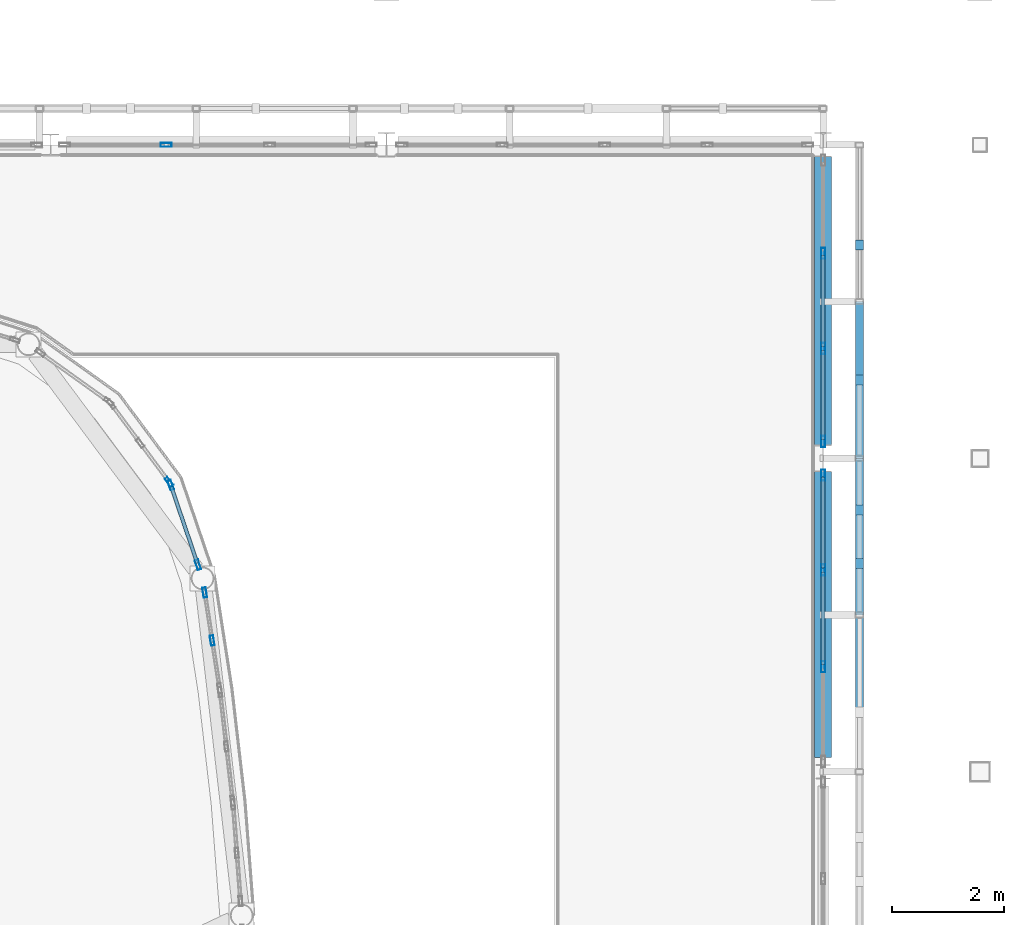
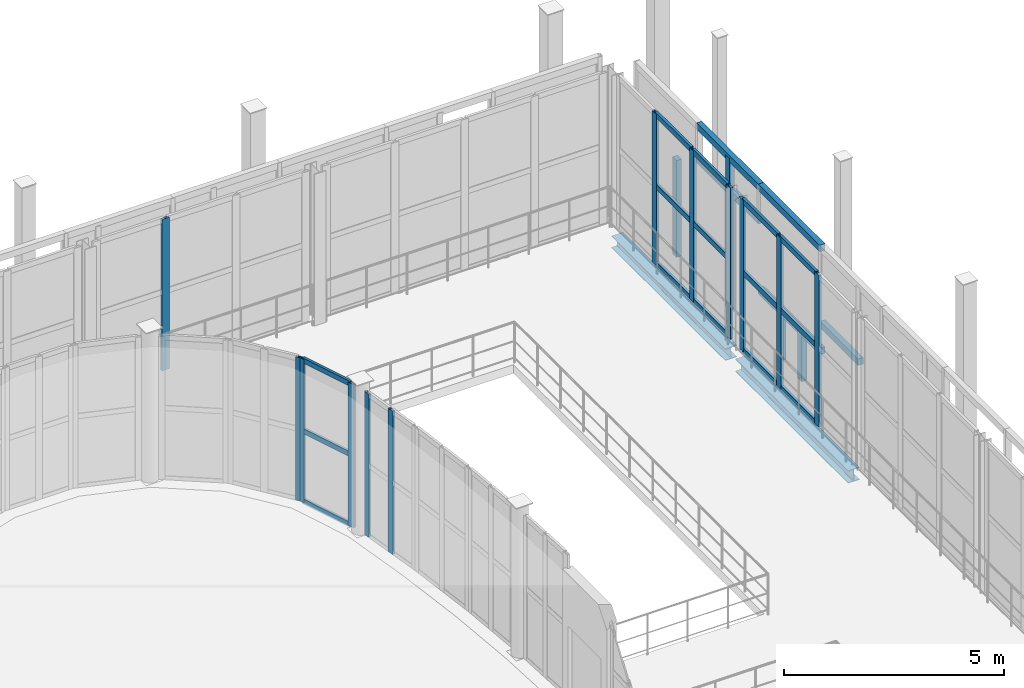
# One storey, part 51 of 121: 36 members, 2 beams, 6 elements without a shape of their own.
"""IFC4 building model written with IfcOpenShell, lengths in metres."""

import ifcopenshell
import ifcopenshell.guid

model = None  # the IFC model being written
_history = None  # IfcOwnerHistory: only IFC2X3 demands one
_inside = {}  # id of a spatial element -> (the spatial element, [elements in it])
_under = {}  # id of a project, library or spatial element -> (it, [spatial elements below it])
_declared = {}  # id of a project -> (the project, [libraries it declares])
_typed = {}  # id of a type object -> (the type object, [elements of that type])
_made_of = {}  # id of a material, layer set ... -> (it, [elements and type objects made of it])


def new_model(schema):
    """Start an empty IFC model of exactly this schema.

    Asked for "IFC4X3", IfcOpenShell would pick the latest addendum, in which some entities
    have other attributes; the version numbers below select the first issue.
    IFC2X3 requires an IfcOwnerHistory on every rooted entity: one is made here for all.
    """
    global model, _history
    if schema == "IFC4X3":
        model = ifcopenshell.file(schema_version=(4, 3, 0, 0))
    else:
        model = ifcopenshell.file(schema=schema)
    _inside.clear()
    _under.clear()
    _declared.clear()
    _typed.clear()
    _made_of.clear()
    _history = None
    if model.schema == "IFC2X3":
        org = make("IfcOrganization", Name="unknown")
        user = make(
            "IfcPersonAndOrganization",
            ThePerson=make("IfcPerson", FamilyName="unknown"),
            TheOrganization=org,
        )
        app = make(
            "IfcApplication",
            ApplicationDeveloper=org,
            Version="unknown",
            ApplicationFullName="unknown",
            ApplicationIdentifier="unknown",
        )
        _history = make(
            "IfcOwnerHistory",
            OwningUser=user,
            OwningApplication=app,
            ChangeAction="ADDED",
            CreationDate=0,
        )
    return model


def make(cls, **values):
    """One entity of the class cls with the attributes given. An attribute that is None is left unset."""
    return model.create_entity(
        cls, **{name: value for name, value in values.items() if value is not None}
    )


def rooted(cls, **values):
    """An entity with a GlobalId (a new one), such as an element, a storey or a relation."""
    return make(cls, GlobalId=ifcopenshell.guid.new(), OwnerHistory=_history, **values)


def si_unit(unit_type, name, prefix=None):
    """IfcSIUnit, for example si_unit("LENGTHUNIT", "METRE", prefix="MILLI")."""
    return make("IfcSIUnit", UnitType=unit_type, Prefix=prefix, Name=name)


def assignment(units):
    """IfcUnitAssignment: the units of a project."""
    return None if units is None else make("IfcUnitAssignment", Units=units)


def point(xyz):
    """IfcCartesianPoint."""
    return None if xyz is None else make("IfcCartesianPoint", Coordinates=xyz)


def direction(xyz):
    """IfcDirection."""
    return None if xyz is None else make("IfcDirection", DirectionRatios=xyz)


def frame(location, z_axis=None, x_axis=None):
    """IfcAxis2Placement3D, a coordinate frame: its origin and axes. An axis left out is left unset."""
    return make(
        "IfcAxis2Placement3D",
        Location=point(location),
        Axis=direction(z_axis),
        RefDirection=direction(x_axis),
    )


def frame_2d(location, x_axis=None):
    """IfcAxis2Placement2D, a coordinate frame in the plane: its origin and x axis."""
    return make(
        "IfcAxis2Placement2D", Location=point(location), RefDirection=direction(x_axis)
    )


def origin():
    """The frame at (0, 0, 0) with its axes left unset."""
    return frame((0.0, 0.0, 0.0))


def origin_2d():
    """The frame at (0, 0) in the plane with its x axis left unset."""
    return frame_2d((0.0, 0.0))


def place(relative_to, where):
    """IfcLocalPlacement: puts the frame where relative to a parent placement (None: the world)."""
    return make(
        "IfcLocalPlacement", PlacementRelTo=relative_to, RelativePlacement=where
    )


def context(
    kind, dimensions, precision=None, world=None, true_north=None, identifier=None
):
    """IfcGeometricRepresentationContext, for example the 3D "Model" context."""
    return make(
        "IfcGeometricRepresentationContext",
        ContextIdentifier=identifier,
        ContextType=kind,
        CoordinateSpaceDimension=dimensions,
        Precision=precision,
        WorldCoordinateSystem=world,
        TrueNorth=true_north,
    )


def subcontext(parent, identifier, kind, view, scale=None):
    """IfcGeometricRepresentationSubContext, for example "Body" below "Model"."""
    return make(
        "IfcGeometricRepresentationSubContext",
        ContextIdentifier=identifier,
        ContextType=kind,
        ParentContext=parent,
        TargetScale=scale,
        TargetView=view,
    )


def project(units=None, contexts=None):
    """IfcProject with its units and contexts."""
    return rooted(
        "IfcProject",
        Name="project",
        RepresentationContexts=contexts,
        UnitsInContext=assignment(units),
    )


def spatial(cls, under=None, at=None, **own):
    """A site, building, storey or space (cls), placed at a placement, below another one or the project."""
    s = rooted(cls, ObjectPlacement=at, **own)
    if under is not None:
        _under.setdefault(under.id(), (under, []))[1].append(s)
    return s


def profile(cls, at=None, kind="AREA", **sizes):
    """A parametric profile (cls). Its sizes go by their IFC names, for example OverallWidth=200.0."""
    return make(cls, ProfileType=kind, Position=at, **sizes)


def rectangle(**sizes):
    """IfcRectangleProfileDef."""
    return profile("IfcRectangleProfileDef", **sizes)


def hollow_rectangle(**sizes):
    """IfcRectangleHollowProfileDef."""
    return profile("IfcRectangleHollowProfileDef", **sizes)


def i_section(**sizes):
    """IfcIShapeProfileDef."""
    return profile("IfcIShapeProfileDef", **sizes)


def extrude(swept, where, along, depth):
    """IfcExtrudedAreaSolid: the profile swept, set in the frame where, extruded along a direction by depth."""
    return make(
        "IfcExtrudedAreaSolid",
        SweptArea=swept,
        Position=where,
        ExtrudedDirection=direction(along),
        Depth=depth,
    )


def shape(context_of_items, identifier, shape_type, items):
    """IfcShapeRepresentation: the items that make up one representation, for example the "Body"."""
    return make(
        "IfcShapeRepresentation",
        ContextOfItems=context_of_items,
        RepresentationIdentifier=identifier,
        RepresentationType=shape_type,
        Items=items,
    )


def material(Name=None, Category=None):
    """IfcMaterial."""
    return make("IfcMaterial", Name=Name, Category=Category)


def layer(
    of_material, thickness, ventilated=None, Name=None, Category=None, Priority=None
):
    """IfcMaterialLayer: one layer of a wall or slab, of a material (None: an air gap)."""
    return make(
        "IfcMaterialLayer",
        Material=of_material,
        LayerThickness=thickness,
        IsVentilated=ventilated,
        Name=Name,
        Category=Category,
        Priority=Priority,
    )


def layer_set(layers, Name=None):
    """IfcMaterialLayerSet."""
    return make("IfcMaterialLayerSet", MaterialLayers=layers, LayerSetName=Name)


def material_profile(
    of_material, cross_section, Name=None, Category=None, Priority=None
):
    """IfcMaterialProfile: a cross section and its material."""
    return make(
        "IfcMaterialProfile",
        Name=Name,
        Material=of_material,
        Profile=cross_section,
        Priority=Priority,
        Category=Category,
    )


def profile_set(profiles, Name=None, composite=None):
    """IfcMaterialProfileSet."""
    return make(
        "IfcMaterialProfileSet",
        Name=Name,
        MaterialProfiles=profiles,
        CompositeProfile=composite,
    )


def made_of(thing, what):
    """Note that an element or type object is made of a material, layer set ...; save() writes the relation."""
    if what is not None:
        _made_of.setdefault(what.id(), (what, []))[1].append(thing)
    return thing


def type_object(cls, material=None, **own):
    """A type object (cls), such as IfcWallType, which elements share."""
    return made_of(rooted(cls, **own), material)


def element(
    cls,
    number,
    at=None,
    inside=None,
    cuts=None,
    type_object=None,
    material=None,
    context=None,
    identifier="Body",
    shape_type=None,
    held_by="IfcProductDefinitionShape",
    body=None,
    shapes=None,
    **own,
):
    """One element of the class cls, such as IfcWall. Its Tag is "e" and its number.

    at: its placement. inside: the storey or other place that contains it. cuts: it is an
    opening in that element (IfcRelVoidsElement). A single representation is given by context,
    identifier, shape_type and body (its items); several are given by shapes. held_by: the class
    of the entity that holds the representations. save() writes the other relations.
    """
    e = rooted(cls, Tag="e%d" % number, ObjectPlacement=at, **own)
    if body is not None:
        shapes = [shape(context, identifier, shape_type, body)]
    if shapes is not None:
        e.Representation = make(held_by, Representations=shapes)
    if inside is not None:
        _inside.setdefault(inside.id(), (inside, []))[1].append(e)
    if cuts is not None:
        rooted(
            "IfcRelVoidsElement", RelatingBuildingElement=cuts, RelatedOpeningElement=e
        )
    if type_object is not None:
        _typed.setdefault(type_object.id(), (type_object, []))[1].append(e)
    return made_of(e, material)


def aggregate(whole, parts):
    """IfcRelAggregates: a whole, such as a stair, and the parts it consists of."""
    return rooted("IfcRelAggregates", RelatingObject=whole, RelatedObjects=parts)


def save(model, path):
    """Write the relations noted so far, then the file.

    IfcRelAggregates (storeys below a building ...), IfcRelContainedInSpatialStructure (elements
    in a storey), IfcRelDefinesByType, IfcRelAssociatesMaterial and IfcRelDeclares: one each for
    every whole, place, type object, material and project.
    """
    for whole, parts in _under.values():
        aggregate(whole, parts)
    for where, things in _inside.values():
        rooted(
            "IfcRelContainedInSpatialStructure",
            RelatedElements=things,
            RelatingStructure=where,
        )
    for kind, things in _typed.values():
        rooted("IfcRelDefinesByType", RelatedObjects=things, RelatingType=kind)
    for what, things in _made_of.values():
        rooted("IfcRelAssociatesMaterial", RelatedObjects=things, RelatingMaterial=what)
    for by, libraries in _declared.values():
        rooted("IfcRelDeclares", RelatingContext=by, RelatedDefinitions=libraries)
    model.write(path)


model = new_model("IFC4")

# Units and contexts
model_context = context("Model", 3, precision=1e-05, world=origin(), true_north=direction((0.0, 1.0)))
body_context = subcontext(model_context, "Body", "Model", "MODEL_VIEW")
ifc_project = project(units=[si_unit("LENGTHUNIT", "METRE"), si_unit("AREAUNIT", "SQUARE_METRE"), si_unit("VOLUMEUNIT", "CUBIC_METRE"), si_unit("PLANEANGLEUNIT", "RADIAN"), si_unit("MASSUNIT", "GRAM", prefix="KILO")], contexts=[model_context])

# Site, building, storey
site_placement = place(None, origin())
site = spatial("IfcSite", under=ifc_project, at=site_placement, CompositionType="ELEMENT")
building_placement = place(site_placement, origin())
building = spatial("IfcBuilding", under=site, at=building_placement, Name="Vinh Khe Railworks Police Headquarters", CompositionType="ELEMENT")
storey_placement = place(building_placement, frame((0.0, 0.0, 4.800048828125)))
storey = spatial("IfcBuildingStorey", under=building, at=storey_placement, Name="L01", CompositionType="ELEMENT", Elevation=4.800048828125)

# Members
ifc_material_1 = material(Name="Salvaged ironwood timber", Category="wood")
ifc_material_profile_1 = material_profile(ifc_material_1, rectangle(XDim=0.139892578125, YDim=0.179931640625, at=origin_2d()), Name="TIMBER 140x180")
ifc_profile_set_1 = profile_set([ifc_material_profile_1], Name="Salvaged ironwood timber")
member_type_1 = type_object("IfcMemberType", Name="MEM-QUILT-STILE", PredefinedType="CHORD", material=ifc_profile_set_1)
member_1_placement = place(storey_placement, frame((60.64990234375, 48.6640625, 2.015869140625), z_axis=(0.0, 1.0, 0.0), x_axis=(-1.0, 0.0, 0.0)))
element("IfcMember", 1, at=member_1_placement, inside=storey, type_object=member_type_1, Name="Salvaged Timber Quilt Transom E-L01-08-M1", PredefinedType="CHORD", context=body_context, shape_type="SweptSolid", body=[
    extrude(rectangle(XDim=0.139892578125, YDim=0.179931640625, at=origin_2d()), origin(), (0.0, 0.0, 1.0), 1.73583984375),
])
for number, where, z_axis, x_axis, name in (
    (2, (60.64990234375, 50.39990234375, 4.119873046875), (0.0, 1.0, 0.0), (-1.0, 0.0, 0.0), "Salvaged Timber Quilt Transom E-L01-09-TOP"),
    (3, (60.64990234375, 50.39990234375, 1.260009765625), (0.0, 1.0, 0.0), (-1.0, 0.0, 0.0), "Salvaged Timber Quilt Transom E-L01-09-M1"),
):
    element("IfcMember", number, at=place(storey_placement, frame(where, z_axis=z_axis, x_axis=x_axis)), inside=storey, type_object=member_type_1, Name=name, PredefinedType="CHORD", context=body_context, shape_type="SweptSolid", body=[
        extrude(rectangle(XDim=0.139892578125, YDim=0.179931640625, at=origin_2d()), origin(), (0.0, 0.0, 1.0), 2.800048828125),
    ])
for number, where, z_axis, x_axis, name in (
    (4, (60.64990234375, 51.323974609375, -0.080078125), (0.0, 0.0, 1.0), (1.0, 0.0, 0.0), "Salvaged Timber Quilt Stile E-L01-09-V1"),
    (5, (60.64990234375, 52.27587890625, -0.080078125), (0.0, 0.0, 1.0), (1.0, 0.0, 0.0), "Salvaged Timber Quilt Stile E-L01-09-V2"),
):
    element("IfcMember", number, at=place(storey_placement, frame(where, z_axis=z_axis, x_axis=x_axis)), inside=storey, type_object=member_type_1, Name=name, PredefinedType="POST", context=body_context, shape_type="SweptSolid", body=[
        extrude(rectangle(XDim=0.139892578125, YDim=0.179931640625, at=origin_2d()), origin(), (0.0, 0.0, 1.0), 1.340087890625),
    ])
for number, where, z_axis, x_axis, name in (
    (6, (60.64990234375, 53.199951171875, 4.119873046875), (0.0, 1.0, 0.0), (-1.0, 0.0, 0.0), "Salvaged Timber Quilt Transom E-L01-10-TOP"),
    (7, (60.64990234375, 53.199951171875, 3.19189453125), (0.0, 1.0, 0.0), (-1.0, 0.0, 0.0), "Salvaged Timber Quilt Transom E-L01-10-M1"),
):
    element("IfcMember", number, at=place(storey_placement, frame(where, z_axis=z_axis, x_axis=x_axis)), inside=storey, type_object=member_type_1, Name=name, PredefinedType="CHORD", context=body_context, shape_type="SweptSolid", body=[
        extrude(rectangle(XDim=0.139892578125, YDim=0.179931640625, at=origin_2d()), origin(), (0.0, 0.0, 1.0), 2.800048828125),
    ])
member_2_placement = place(storey_placement, frame((60.64990234375, 54.60009765625, -0.080078125), z_axis=(0.0, 0.0, 1.0), x_axis=(1.0, 0.0, 0.0)))
element("IfcMember", 8, at=member_2_placement, inside=storey, type_object=member_type_1, Name="Salvaged Timber Quilt Stile E-L01-10-V1", PredefinedType="POST", context=body_context, shape_type="SweptSolid", body=[
    extrude(rectangle(XDim=0.139892578125, YDim=0.179931640625, at=origin_2d()), origin(), (0.0, 0.0, 1.0), 4.199951171875),
])
member_3_placement = place(storey_placement, frame((60.64990234375, 57.008056640625, -0.080078125), z_axis=(0.0, 0.0, 1.0), x_axis=(1.0, 0.0, 0.0)))
element("IfcMember", 9, at=member_3_placement, inside=storey, type_object=member_type_1, Name="Salvaged Timber Quilt Stile E-L01-11-V1", PredefinedType="POST", context=body_context, shape_type="SweptSolid", body=[
    extrude(rectangle(XDim=0.139892578125, YDim=0.179931640625, at=origin_2d()), origin(), (0.0, 0.0, 1.0), 2.68408203125),
])

# Curtain wall, members
ifc_material_2 = material(Name="Anodised aluminium and acoustic laminated glass", Category="aluminium")
ifc_layer_1 = layer(ifc_material_2, 0.159912109375)
ifc_layer_set_1 = layer_set([ifc_layer_1], Name="Anodised aluminium and acoustic laminated glass")
curtain_wall_type_1 = type_object("IfcCurtainWallType", Name="CW-DRUM-CHORD", PredefinedType="USERDEFINED", material=ifc_layer_set_1)
curtain_wall_1_placement = place(storey_placement, origin())
curtain_wall_1 = element("IfcCurtainWall", 10, at=curtain_wall_1_placement, inside=storey, type_object=curtain_wall_type_1, Name="Elliptical Command Drum Glazing L01 Chord 9", ObjectType="DRUM FACADE GLAZING", PredefinedType="USERDEFINED")
ifc_material_3 = material(Name="Anodised aluminium 6063-T6", Category="aluminium")
ifc_material_profile_2 = material_profile(ifc_material_3, hollow_rectangle(XDim=0.06494140625, YDim=0.179931640625, WallThickness=0.0048828125, at=origin_2d()), Name="CW-M 65x180x5")
ifc_profile_set_2 = profile_set([ifc_material_profile_2], Name="Anodised aluminium 6063-T6")
member_type_2 = type_object("IfcMemberType", Name="MULL-CWM-02", PredefinedType="MULLION", material=ifc_profile_set_2)
member_4_placement = place(storey_placement, frame((49.08544921875, 49.9462890625, 0.0), z_axis=(0.0, 0.0, 1.0), x_axis=(-0.988150267331, -0.153489573502, 0.0)))
member_4 = element("IfcMember", 11, at=member_4_placement, type_object=member_type_2, Name="CW-02 mullion 2", PredefinedType="MULLION", context=body_context, shape_type="SweptSolid", body=[
    extrude(hollow_rectangle(XDim=0.06494140625, YDim=0.179931640625, WallThickness=0.0048828125, at=origin_2d()), origin(), (0.0, 0.0, 1.0), 3.969970703125),
])
member_5_placement = place(storey_placement, frame((48.952392578125, 50.80322265625, 0.0), z_axis=(0.0, 0.0, 1.0), x_axis=(-0.988150267331, -0.153489573502, 0.0)))
member_5 = element("IfcMember", 12, at=member_5_placement, type_object=member_type_2, Name="CW-02 mullion 3", PredefinedType="MULLION", context=body_context, shape_type="SweptSolid", body=[
    extrude(hollow_rectangle(XDim=0.06494140625, YDim=0.179931640625, WallThickness=0.0048828125, at=origin_2d()), origin(), (0.0, 0.0, 1.0), 3.969970703125),
])
aggregate(curtain_wall_1, [member_4, member_5])

curtain_wall_2_placement = place(storey_placement, origin())
curtain_wall_2 = element("IfcCurtainWall", 13, at=curtain_wall_2_placement, inside=storey, type_object=curtain_wall_type_1, Name="Elliptical Command Drum Glazing L01 Chord 10", ObjectType="DRUM FACADE GLAZING", PredefinedType="USERDEFINED")
member_6_placement = place(storey_placement, frame((48.83056640625, 51.2978515625, 0.0), z_axis=(0.0, 0.0, 1.0), x_axis=(-0.946484112141, -0.322750407381, 0.0)))
member_6 = element("IfcMember", 14, at=member_6_placement, type_object=member_type_2, Name="CW-02 mullion 1", PredefinedType="MULLION", context=body_context, shape_type="SweptSolid", body=[
    extrude(hollow_rectangle(XDim=0.06494140625, YDim=0.179931640625, WallThickness=0.0048828125, at=origin_2d()), origin(), (0.0, 0.0, 1.0), 3.969970703125),
])
member_7_placement = place(storey_placement, frame((48.344482421875, 52.72314453125, 0.0), z_axis=(0.0, 0.0, 1.0), x_axis=(-0.946484112141, -0.322750407381, 0.0)))
member_7 = element("IfcMember", 15, at=member_7_placement, type_object=member_type_2, Name="CW-02 mullion 2", PredefinedType="MULLION", context=body_context, shape_type="SweptSolid", body=[
    extrude(hollow_rectangle(XDim=0.06494140625, YDim=0.179931640625, WallThickness=0.0048828125, at=origin_2d()), origin(), (0.0, 0.0, 1.0), 3.969970703125),
])

# Curtain wall, member
curtain_wall_3_placement = place(storey_placement, origin())
curtain_wall_3 = element("IfcCurtainWall", 16, at=curtain_wall_3_placement, inside=storey, type_object=curtain_wall_type_1, Name="Elliptical Command Drum Glazing L01 Chord 11", ObjectType="DRUM FACADE GLAZING", PredefinedType="USERDEFINED")
member_8_placement = place(storey_placement, frame((48.314697265625, 52.77978515625, 0.0), z_axis=(0.0, 0.0, 1.0), x_axis=(-0.802591949394, -0.596528425784, 0.0)))
member_8 = element("IfcMember", 17, at=member_8_placement, type_object=member_type_2, Name="CW-02 mullion 1", PredefinedType="MULLION", context=body_context, shape_type="SweptSolid", body=[
    extrude(hollow_rectangle(XDim=0.06494140625, YDim=0.179931640625, WallThickness=0.0048828125, at=origin_2d()), origin(), (0.0, 0.0, 1.0), 3.969970703125),
])
aggregate(curtain_wall_3, [member_8])

ifc_material_4 = material(Name="Anodised aluminium and low-iron glass", Category="aluminium")
ifc_layer_2 = layer(ifc_material_4, 0.179931640625)
ifc_layer_set_2 = layer_set([ifc_layer_2], Name="Anodised aluminium and low-iron glass")
curtain_wall_type_2 = type_object("IfcCurtainWallType", Name="CW-CUBE-UNIT", PredefinedType="USERDEFINED", material=ifc_layer_set_2)
curtain_wall_4_placement = place(storey_placement, origin())
curtain_wall_4 = element("IfcCurtainWall", 18, at=curtain_wall_4_placement, inside=storey, type_object=curtain_wall_type_2, Name="Entrance Hall Curtain Wall L01 N-4", ObjectType="UNITISED GLAZING", PredefinedType="USERDEFINED")
ifc_material_profile_3 = material_profile(ifc_material_3, hollow_rectangle(XDim=0.070068359375, YDim=0.199951171875, WallThickness=0.0048828125, at=origin_2d()), Name="CW-M 70x200x5")
ifc_profile_set_3 = profile_set([ifc_material_profile_3], Name="Anodised aluminium 6063-T6")
member_type_3 = type_object("IfcMemberType", Name="MULL-CWM-03", PredefinedType="MULLION", material=ifc_profile_set_3)
member_9_placement = place(storey_placement, frame((48.263427734375, 58.800048828125, 0.0), z_axis=(0.0, 0.0, 1.0), x_axis=(0.0, 1.0, 0.0)))
member_9 = element("IfcMember", 19, at=member_9_placement, type_object=member_type_3, Name="CW-01 mullion 2", PredefinedType="MULLION", context=body_context, shape_type="SweptSolid", body=[
    extrude(hollow_rectangle(XDim=0.070068359375, YDim=0.199951171875, WallThickness=0.0048828125, at=origin_2d()), origin(), (0.0, 0.0, 1.0), 4.199951171875),
])
aggregate(curtain_wall_4, [member_9])

# Curtain wall, members
curtain_wall_5_placement = place(storey_placement, origin())
curtain_wall_5 = element("IfcCurtainWall", 20, at=curtain_wall_5_placement, inside=storey, type_object=curtain_wall_type_2, Name="Entrance Hall Curtain Wall L01 E-5", ObjectType="UNITISED GLAZING", PredefinedType="USERDEFINED")
member_10_placement = place(storey_placement, frame((60.0, 49.478271484375, 0.0), z_axis=(0.0, 0.0, 1.0), x_axis=(-1.0, 0.0, 0.0)))
member_10 = element("IfcMember", 21, at=member_10_placement, type_object=member_type_3, Name="CW-01 mullion 2", PredefinedType="MULLION", context=body_context, shape_type="SweptSolid", body=[
    extrude(hollow_rectangle(XDim=0.070068359375, YDim=0.199951171875, WallThickness=0.0048828125, at=origin_2d()), origin(), (0.0, 0.0, 1.0), 4.199951171875),
])
member_11_placement = place(storey_placement, frame((60.0, 51.206787109375, 0.0), z_axis=(0.0, 0.0, 1.0), x_axis=(-1.0, 0.0, 0.0)))
member_11 = element("IfcMember", 22, at=member_11_placement, type_object=member_type_3, Name="CW-01 mullion 3", PredefinedType="MULLION", context=body_context, shape_type="SweptSolid", body=[
    extrude(hollow_rectangle(XDim=0.070068359375, YDim=0.199951171875, WallThickness=0.0048828125, at=origin_2d()), origin(), (0.0, 0.0, 1.0), 4.199951171875),
])
member_12_placement = place(storey_placement, frame((60.0, 52.89990234375, 0.0), z_axis=(0.0, 0.0, 1.0), x_axis=(-1.0, 0.0, 0.0)))
member_12 = element("IfcMember", 23, at=member_12_placement, type_object=member_type_3, Name="CW-01 mullion 4", PredefinedType="MULLION", context=body_context, shape_type="SweptSolid", body=[
    extrude(hollow_rectangle(XDim=0.070068359375, YDim=0.199951171875, WallThickness=0.0048828125, at=origin_2d()), origin(), (0.0, 0.0, 1.0), 4.199951171875),
])

curtain_wall_6_placement = place(storey_placement, origin())
curtain_wall_6 = element("IfcCurtainWall", 24, at=curtain_wall_6_placement, inside=storey, type_object=curtain_wall_type_2, Name="Entrance Hall Curtain Wall L01 E-6", ObjectType="UNITISED GLAZING", PredefinedType="USERDEFINED")
member_13_placement = place(storey_placement, frame((60.0, 53.5, 0.0), z_axis=(0.0, 0.0, 1.0), x_axis=(-1.0, 0.0, 0.0)))
member_13 = element("IfcMember", 25, at=member_13_placement, type_object=member_type_3, Name="CW-01 mullion 1", PredefinedType="MULLION", context=body_context, shape_type="SweptSolid", body=[
    extrude(hollow_rectangle(XDim=0.070068359375, YDim=0.199951171875, WallThickness=0.0048828125, at=origin_2d()), origin(), (0.0, 0.0, 1.0), 4.199951171875),
])
member_14_placement = place(storey_placement, frame((60.0, 55.163330078125, 0.0), z_axis=(0.0, 0.0, 1.0), x_axis=(-1.0, 0.0, 0.0)))
member_14 = element("IfcMember", 26, at=member_14_placement, type_object=member_type_3, Name="CW-01 mullion 2", PredefinedType="MULLION", context=body_context, shape_type="SweptSolid", body=[
    extrude(hollow_rectangle(XDim=0.070068359375, YDim=0.199951171875, WallThickness=0.0048828125, at=origin_2d()), origin(), (0.0, 0.0, 1.0), 4.199951171875),
])
member_15_placement = place(storey_placement, frame((60.0, 56.861572265625, 0.0), z_axis=(0.0, 0.0, 1.0), x_axis=(-1.0, 0.0, 0.0)))
member_15 = element("IfcMember", 27, at=member_15_placement, type_object=member_type_3, Name="CW-01 mullion 3", PredefinedType="MULLION", context=body_context, shape_type="SweptSolid", body=[
    extrude(hollow_rectangle(XDim=0.070068359375, YDim=0.199951171875, WallThickness=0.0048828125, at=origin_2d()), origin(), (0.0, 0.0, 1.0), 4.199951171875),
])

# Beams
ifc_material_5 = material(Name="Steel S355JR", Category="steel")
ifc_material_profile_4 = material_profile(ifc_material_5, i_section(OverallWidth=0.300048828125, OverallDepth=0.330078125, WebThickness=0.009521484375, FlangeThickness=0.0166015625, FilletRadius=0.027099609375, at=origin_2d()), Name="HEA 340")
ifc_profile_set_4 = profile_set([ifc_material_profile_4], Name="Steel S355JR")
beam_type_1 = type_object("IfcBeamType", Name="Steel Girder HEA 340", PredefinedType="BEAM", material=ifc_profile_set_4)
beam_1_placement = place(storey_placement, frame((60.0, 53.429931640625, -0.405029296875), z_axis=(0.0, 1.0, 0.0), x_axis=(-1.0, 0.0, 0.0)))
element("IfcBeam", 28, at=beam_1_placement, inside=storey, type_object=beam_type_1, Name="Girder BM-L01-NS-SB-16-0662", PredefinedType="BEAM", context=body_context, shape_type="SweptSolid", body=[
    extrude(i_section(OverallWidth=0.300048828125, OverallDepth=0.330078125, WebThickness=0.009521484375, FlangeThickness=0.0166015625, FilletRadius=0.027099609375, at=origin_2d()), origin(), (0.0, 0.0, 1.0), 5.1650390625),
])
ifc_material_profile_5 = material_profile(ifc_material_5, i_section(OverallWidth=0.300048828125, OverallDepth=0.35009765625, WebThickness=0.010009765625, FlangeThickness=0.017578125, FilletRadius=0.027099609375, at=origin_2d()), Name="HEA 360")
ifc_profile_set_5 = profile_set([ifc_material_profile_5], Name="Steel S355JR")
beam_type_2 = type_object("IfcBeamType", Name="Steel Girder HEA 360", PredefinedType="BEAM", material=ifc_profile_set_5)
beam_2_placement = place(storey_placement, frame((60.0, 47.85498046875, -0.4150390625), z_axis=(0.0, 1.0, 0.0), x_axis=(-1.0, 0.0, 0.0)))
element("IfcBeam", 29, at=beam_2_placement, inside=storey, type_object=beam_type_2, Name="Girder BM-L01-NS-SB-15-0661", PredefinedType="BEAM", context=body_context, shape_type="SweptSolid", body=[
    extrude(i_section(OverallWidth=0.300048828125, OverallDepth=0.35009765625, WebThickness=0.010009765625, FlangeThickness=0.017578125, FilletRadius=0.027099609375, at=origin_2d()), origin(), (0.0, 0.0, 1.0), 5.114990234375),
])

# Member
ifc_material_profile_6 = material_profile(ifc_material_3, hollow_rectangle(XDim=0.06494140625, YDim=0.139892578125, WallThickness=0.00390625, at=origin_2d()), Name="CW-T 65x140x4")
ifc_profile_set_6 = profile_set([ifc_material_profile_6], Name="Anodised aluminium 6063-T6")
member_type_4 = type_object("IfcMemberType", Name="TRAN-CWT-02", PredefinedType="USERDEFINED", material=ifc_profile_set_6)
member_16_placement = place(storey_placement, frame((48.820068359375, 51.32861328125, 0.032470703125), z_axis=(-0.322777422757, 0.946474899487, 0.0), x_axis=(-0.946474899487, -0.322777422757, 0.0)))
member_16 = element("IfcMember", 30, at=member_16_placement, type_object=member_type_4, Name="CW-02 transom 1.1", ObjectType="TRANSOM", PredefinedType="USERDEFINED", context=body_context, shape_type="SweptSolid", body=[
    extrude(hollow_rectangle(XDim=0.06494140625, YDim=0.139892578125, WallThickness=0.00390625, at=origin_2d()), origin(), (0.0, 0.0, 1.0), 1.44091796875),
])

member_17_placement = place(storey_placement, frame((48.820068359375, 51.32861328125, 1.98486328125), z_axis=(-0.322777422757, 0.946474899487, 0.0), x_axis=(-0.946474899487, -0.322777422757, 0.0)))
member_17 = element("IfcMember", 31, at=member_17_placement, type_object=member_type_4, Name="CW-02 transom 1.2", ObjectType="TRANSOM", PredefinedType="USERDEFINED", context=body_context, shape_type="SweptSolid", body=[
    extrude(hollow_rectangle(XDim=0.06494140625, YDim=0.139892578125, WallThickness=0.00390625, at=origin_2d()), origin(), (0.0, 0.0, 1.0), 1.44091796875),
])

member_18_placement = place(storey_placement, frame((48.820068359375, 51.32861328125, 3.9375), z_axis=(-0.322777422757, 0.946474899487, 0.0), x_axis=(-0.946474899487, -0.322777422757, 0.0)))
member_18 = element("IfcMember", 32, at=member_18_placement, type_object=member_type_4, Name="CW-02 transom 1.3", ObjectType="TRANSOM", PredefinedType="USERDEFINED", context=body_context, shape_type="SweptSolid", body=[
    extrude(hollow_rectangle(XDim=0.06494140625, YDim=0.139892578125, WallThickness=0.00390625, at=origin_2d()), origin(), (0.0, 0.0, 1.0), 1.44091796875),
])

aggregate(curtain_wall_2, [member_6, member_7, member_16, member_17, member_18])

ifc_material_profile_7 = material_profile(ifc_material_3, hollow_rectangle(XDim=0.070068359375, YDim=0.14990234375, WallThickness=0.0048828125, at=origin_2d()), Name="CW-T 70x150x5")
ifc_profile_set_7 = profile_set([ifc_material_profile_7], Name="Anodised aluminium 6063-T6")
member_type_5 = type_object("IfcMemberType", Name="TRAN-CWT-03", PredefinedType="USERDEFINED", material=ifc_profile_set_7)
member_19_placement = place(storey_placement, frame((60.0, 49.513427734375, 0.034912109375), z_axis=(0.0, 1.0, 0.0), x_axis=(-1.0, 0.0, 0.0)))
member_19 = element("IfcMember", 33, at=member_19_placement, type_object=member_type_5, Name="CW-01 transom 2.1", ObjectType="TRANSOM", PredefinedType="USERDEFINED", context=body_context, shape_type="SweptSolid", body=[
    extrude(hollow_rectangle(XDim=0.070068359375, YDim=0.14990234375, WallThickness=0.0048828125, at=origin_2d()), origin(), (0.0, 0.0, 1.0), 1.658203125),
])

member_20_placement = place(storey_placement, frame((60.0, 49.513427734375, 2.183837890625), z_axis=(0.0, 1.0, 0.0), x_axis=(-1.0, 0.0, 0.0)))
member_20 = element("IfcMember", 34, at=member_20_placement, type_object=member_type_5, Name="CW-01 transom 2.2", ObjectType="TRANSOM", PredefinedType="USERDEFINED", context=body_context, shape_type="SweptSolid", body=[
    extrude(hollow_rectangle(XDim=0.070068359375, YDim=0.14990234375, WallThickness=0.0048828125, at=origin_2d()), origin(), (0.0, 0.0, 1.0), 1.658203125),
])

member_21_placement = place(storey_placement, frame((60.0, 49.513427734375, 4.1650390625), z_axis=(0.0, 1.0, 0.0), x_axis=(-1.0, 0.0, 0.0)))
member_21 = element("IfcMember", 35, at=member_21_placement, type_object=member_type_5, Name="CW-01 transom 2.3", ObjectType="TRANSOM", PredefinedType="USERDEFINED", context=body_context, shape_type="SweptSolid", body=[
    extrude(hollow_rectangle(XDim=0.070068359375, YDim=0.14990234375, WallThickness=0.0048828125, at=origin_2d()), origin(), (0.0, 0.0, 1.0), 1.658203125),
])

member_22_placement = place(storey_placement, frame((60.0, 51.24169921875, 0.034912109375), z_axis=(0.0, 1.0, 0.0), x_axis=(-1.0, 0.0, 0.0)))
member_22 = element("IfcMember", 36, at=member_22_placement, type_object=member_type_5, Name="CW-01 transom 3.1", ObjectType="TRANSOM", PredefinedType="USERDEFINED", context=body_context, shape_type="SweptSolid", body=[
    extrude(hollow_rectangle(XDim=0.070068359375, YDim=0.14990234375, WallThickness=0.0048828125, at=origin_2d()), origin(), (0.0, 0.0, 1.0), 1.623291015625),
])

member_23_placement = place(storey_placement, frame((60.0, 51.24169921875, 2.183837890625), z_axis=(0.0, 1.0, 0.0), x_axis=(-1.0, 0.0, 0.0)))
member_23 = element("IfcMember", 37, at=member_23_placement, type_object=member_type_5, Name="CW-01 transom 3.2", ObjectType="TRANSOM", PredefinedType="USERDEFINED", context=body_context, shape_type="SweptSolid", body=[
    extrude(hollow_rectangle(XDim=0.070068359375, YDim=0.14990234375, WallThickness=0.0048828125, at=origin_2d()), origin(), (0.0, 0.0, 1.0), 1.623291015625),
])

member_24_placement = place(storey_placement, frame((60.0, 51.24169921875, 4.1650390625), z_axis=(0.0, 1.0, 0.0), x_axis=(-1.0, 0.0, 0.0)))
member_24 = element("IfcMember", 38, at=member_24_placement, type_object=member_type_5, Name="CW-01 transom 3.3", ObjectType="TRANSOM", PredefinedType="USERDEFINED", context=body_context, shape_type="SweptSolid", body=[
    extrude(hollow_rectangle(XDim=0.070068359375, YDim=0.14990234375, WallThickness=0.0048828125, at=origin_2d()), origin(), (0.0, 0.0, 1.0), 1.623291015625),
])

aggregate(curtain_wall_5, [member_10, member_11, member_12, member_19, member_20, member_21, member_22, member_23, member_24])

member_25_placement = place(storey_placement, frame((60.0, 53.534912109375, 0.034912109375), z_axis=(0.0, 1.0, 0.0), x_axis=(-1.0, 0.0, 0.0)))
member_25 = element("IfcMember", 39, at=member_25_placement, type_object=member_type_5, Name="CW-01 transom 1.1", ObjectType="TRANSOM", PredefinedType="USERDEFINED", context=body_context, shape_type="SweptSolid", body=[
    extrude(hollow_rectangle(XDim=0.070068359375, YDim=0.14990234375, WallThickness=0.0048828125, at=origin_2d()), origin(), (0.0, 0.0, 1.0), 1.593505859375),
])

member_26_placement = place(storey_placement, frame((60.0, 53.534912109375, 2.183837890625), z_axis=(0.0, 1.0, 0.0), x_axis=(-1.0, 0.0, 0.0)))
member_26 = element("IfcMember", 40, at=member_26_placement, type_object=member_type_5, Name="CW-01 transom 1.2", ObjectType="TRANSOM", PredefinedType="USERDEFINED", context=body_context, shape_type="SweptSolid", body=[
    extrude(hollow_rectangle(XDim=0.070068359375, YDim=0.14990234375, WallThickness=0.0048828125, at=origin_2d()), origin(), (0.0, 0.0, 1.0), 1.593505859375),
])

member_27_placement = place(storey_placement, frame((60.0, 53.534912109375, 4.1650390625), z_axis=(0.0, 1.0, 0.0), x_axis=(-1.0, 0.0, 0.0)))
member_27 = element("IfcMember", 41, at=member_27_placement, type_object=member_type_5, Name="CW-01 transom 1.3", ObjectType="TRANSOM", PredefinedType="USERDEFINED", context=body_context, shape_type="SweptSolid", body=[
    extrude(hollow_rectangle(XDim=0.070068359375, YDim=0.14990234375, WallThickness=0.0048828125, at=origin_2d()), origin(), (0.0, 0.0, 1.0), 1.593505859375),
])

member_28_placement = place(storey_placement, frame((60.0, 55.1982421875, 0.034912109375), z_axis=(0.0, 1.0, 0.0), x_axis=(-1.0, 0.0, 0.0)))
member_28 = element("IfcMember", 42, at=member_28_placement, type_object=member_type_5, Name="CW-01 transom 2.1", ObjectType="TRANSOM", PredefinedType="USERDEFINED", context=body_context, shape_type="SweptSolid", body=[
    extrude(hollow_rectangle(XDim=0.070068359375, YDim=0.14990234375, WallThickness=0.0048828125, at=origin_2d()), origin(), (0.0, 0.0, 1.0), 1.62841796875),
])

member_29_placement = place(storey_placement, frame((60.0, 55.1982421875, 2.183837890625), z_axis=(0.0, 1.0, 0.0), x_axis=(-1.0, 0.0, 0.0)))
member_29 = element("IfcMember", 43, at=member_29_placement, type_object=member_type_5, Name="CW-01 transom 2.2", ObjectType="TRANSOM", PredefinedType="USERDEFINED", context=body_context, shape_type="SweptSolid", body=[
    extrude(hollow_rectangle(XDim=0.070068359375, YDim=0.14990234375, WallThickness=0.0048828125, at=origin_2d()), origin(), (0.0, 0.0, 1.0), 1.62841796875),
])

member_30_placement = place(storey_placement, frame((60.0, 55.1982421875, 4.1650390625), z_axis=(0.0, 1.0, 0.0), x_axis=(-1.0, 0.0, 0.0)))
member_30 = element("IfcMember", 44, at=member_30_placement, type_object=member_type_5, Name="CW-01 transom 2.3", ObjectType="TRANSOM", PredefinedType="USERDEFINED", context=body_context, shape_type="SweptSolid", body=[
    extrude(hollow_rectangle(XDim=0.070068359375, YDim=0.14990234375, WallThickness=0.0048828125, at=origin_2d()), origin(), (0.0, 0.0, 1.0), 1.62841796875),
])

aggregate(curtain_wall_6, [member_13, member_14, member_15, member_25, member_26, member_27, member_28, member_29, member_30])

save(model, "model.ifc")
